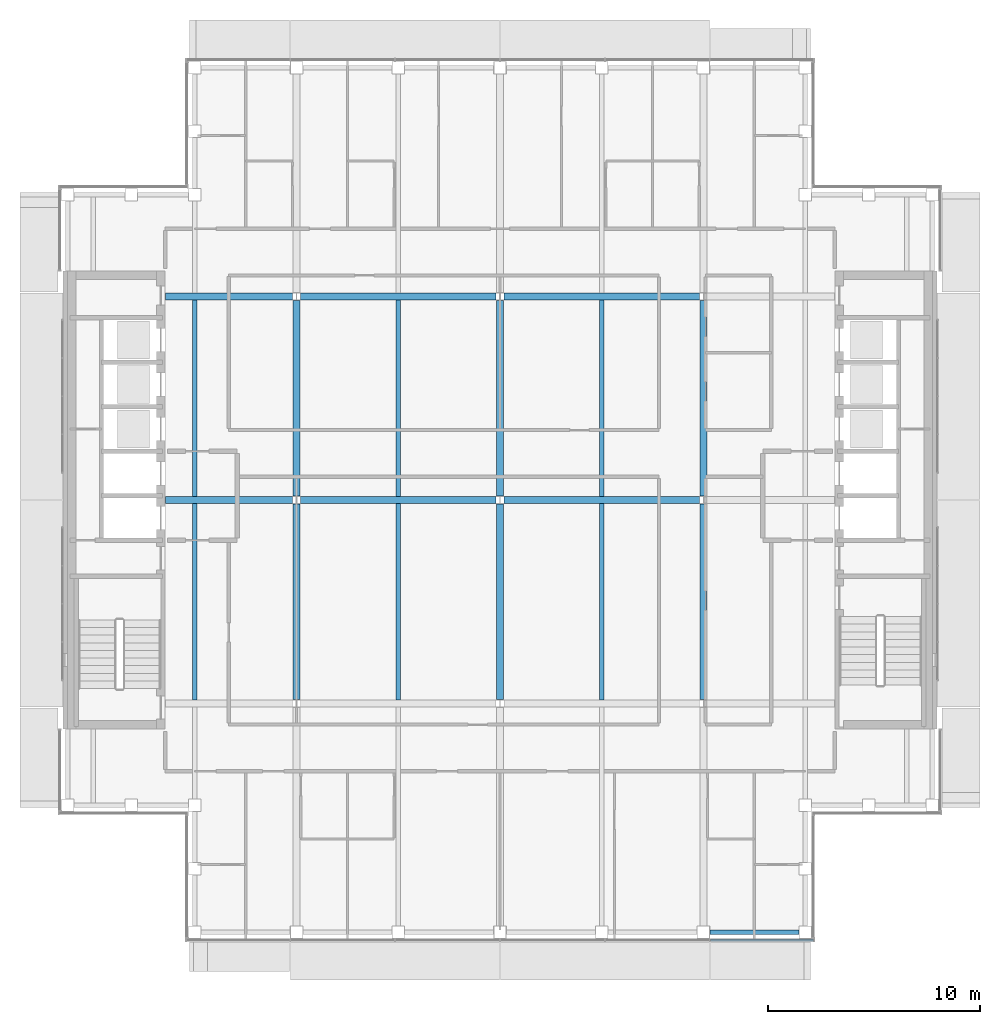
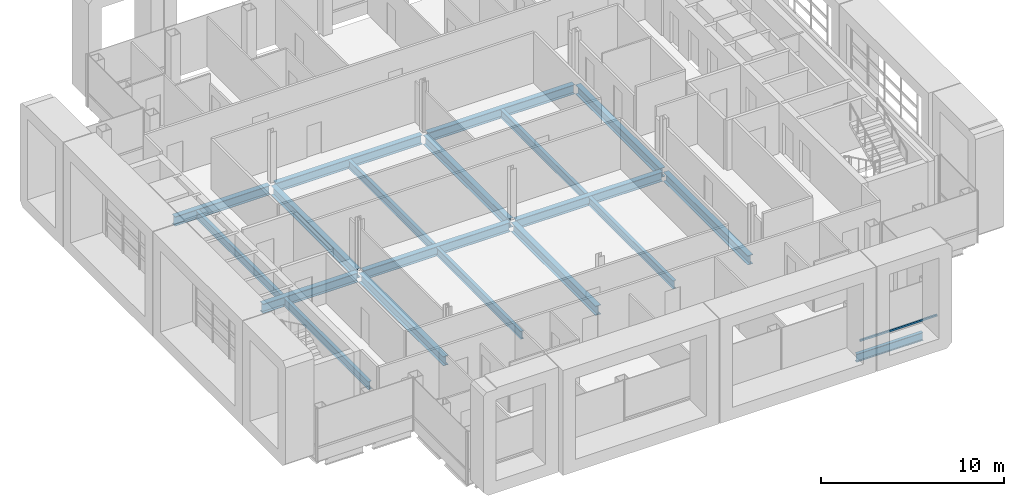
# One storey, part 4 of 21: 19 beams, 1 member, 1 element without a shape of its own.
"""IFC4 building model written with IfcOpenShell, lengths in metres."""

from ifc_helpers import new_model, si_unit, direction, frame, origin, origin_2d, place, context, subcontext, project, spatial, rectangle, i_section, extrude, material, material_profile, profile_set, type_object, element, aggregate, save


model = new_model("IFC4")

# Units and contexts
model_context = context("Model", 3, precision=1e-05, world=origin(), true_north=direction((0.0, 1.0)))
body_context = subcontext(model_context, "Body", "Model", "MODEL_VIEW")
ifc_project = project(units=[si_unit("LENGTHUNIT", "METRE"), si_unit("AREAUNIT", "SQUARE_METRE"), si_unit("VOLUMEUNIT", "CUBIC_METRE"), si_unit("PLANEANGLEUNIT", "RADIAN"), si_unit("MASSUNIT", "GRAM", prefix="KILO")], contexts=[model_context])

# Site, building, storey
site_placement = place(None, origin())
site = spatial("IfcSite", under=ifc_project, at=site_placement, CompositionType="ELEMENT")
building_placement = place(site_placement, origin())
building = spatial("IfcBuilding", under=site, at=building_placement, Name="Cobrizo Arcos Hotel Tower", CompositionType="ELEMENT")
storey_placement = place(building_placement, frame((0.0, 0.0, 248.0)))
storey = spatial("IfcBuildingStorey", under=building, at=storey_placement, Name="L65", CompositionType="ELEMENT", Elevation=248.0)

# Curtain wall, member
ifc_material_1 = material(Name="Aluminium 6063-T6 anodised bronze", Category="aluminium")
curtain_wall_type = type_object("IfcCurtainWallType", Name="CW-A guest facade", PredefinedType="NOTDEFINED", material=ifc_material_1)
curtain_wall_placement = place(storey_placement, origin())
curtain_wall = element("IfcCurtainWall", 1, at=curtain_wall_placement, inside=storey, type_object=curtain_wall_type, Name="CW-A L65 S face", PredefinedType="NOTDEFINED")
ifc_material_profile_1 = material_profile(ifc_material_1, rectangle(XDim=0.10009765625, YDim=0.1201171875, at=origin_2d()), Name="CW-A transom 120x100")
ifc_profile_set_1 = profile_set([ifc_material_profile_1], Name="Aluminium 6063-T6 anodised bronze")
member_type = type_object("IfcMemberType", Name="CW-A transom 120x100", PredefinedType="USERDEFINED", material=ifc_profile_set_1)
member_placement = place(storey_placement, frame((9.929931640625, -20.77490234375, 0.929931640625), z_axis=(1.0, 0.0, 0.0), x_axis=(0.0, 1.0, 0.0)))
member = element("IfcMember", 2, at=member_placement, type_object=member_type, Name="CW-A transom 2065", ObjectType="TRANSOM", PredefinedType="USERDEFINED", context=body_context, shape_type="SweptSolid", body=[
    extrude(rectangle(XDim=0.10009765625, YDim=0.1201171875, at=origin_2d()), origin(), (0.0, 0.0, 1.0), 4.860107421875),
])
aggregate(curtain_wall, [member])

# Beams
ifc_material_2 = material(Name="Steel ASTM A992 Grade 50", Category="steel")
ifc_material_profile_2 = material_profile(ifc_material_2, i_section(OverallWidth=0.209228515625, OverallDepth=0.533447265625, WebThickness=0.01025390625, FlangeThickness=0.015625, at=origin_2d()), Name="W21X62")
ifc_profile_set_2 = profile_set([ifc_material_profile_2], Name="Steel ASTM A992 Grade 50")
beam_type_1 = type_object("IfcBeamType", Name="W21X62 joist", PredefinedType="JOIST", material=ifc_profile_set_2)
for number, where, z_axis, x_axis, name in (
    (3, (-14.39990234375, -9.43603515625, -0.416748046875), (0.0, 1.0, 0.0), (-1.0, 0.0, 0.0), "Floor joist J1, L65, no. 004"),
    (4, (-14.39990234375, 0.163818359375, -0.416748046875), (0.0, 1.0, 0.0), (-1.0, 0.0, 0.0), "Floor joist J1, L65, no. 005"),
    (5, (-4.800048828125, -9.43603515625, -0.416748046875), (0.0, 1.0, 0.0), (-1.0, 0.0, 0.0), "Floor joist J1, L65, no. 008"),
    (6, (-4.800048828125, 0.163818359375, -0.416748046875), (0.0, 1.0, 0.0), (-1.0, 0.0, 0.0), "Floor joist J1, L65, no. 009"),
    (7, (4.800048828125, -9.43603515625, -0.416748046875), (0.0, 1.0, 0.0), (-1.0, 0.0, 0.0), "Floor joist J1, L65, no. 012"),
    (8, (4.800048828125, 0.163818359375, -0.416748046875), (0.0, 1.0, 0.0), (-1.0, 0.0, 0.0), "Floor joist J1, L65, no. 013"),
):
    element("IfcBeam", number, at=place(storey_placement, frame(where, z_axis=z_axis, x_axis=x_axis)), inside=storey, type_object=beam_type_1, Name=name, PredefinedType="JOIST", context=body_context, shape_type="SweptSolid", body=[
        extrude(i_section(OverallWidth=0.209228515625, OverallDepth=0.533447265625, WebThickness=0.01025390625, FlangeThickness=0.015625, at=origin_2d()), origin(), (0.0, 0.0, 1.0), 9.272216796875),
    ])
ifc_material_profile_3 = material_profile(ifc_material_2, i_section(OverallWidth=0.209228515625, OverallDepth=0.533447265625, WebThickness=0.01025390625, FlangeThickness=0.015625, at=origin_2d()), Name="W21X62")
ifc_profile_set_3 = profile_set([ifc_material_profile_3], Name="Steel ASTM A992 Grade 50")
beam_type_2 = type_object("IfcBeamType", Name="W21X62 spandrel", PredefinedType="SPANDREL", material=ifc_profile_set_3)
beam_1_placement = place(storey_placement, frame((9.89990234375, -20.39990234375, -0.416748046875), z_axis=(1.0, 0.0, 0.0), x_axis=(0.0, 1.0, 0.0)))
element("IfcBeam", 9, at=beam_1_placement, inside=storey, type_object=beam_type_2, Name="Spandrel beam W21X62, L65, no. 006", PredefinedType="SPANDREL", context=body_context, shape_type="SweptSolid", body=[
    extrude(i_section(OverallWidth=0.209228515625, OverallDepth=0.533447265625, WebThickness=0.01025390625, FlangeThickness=0.015625, at=origin_2d()), origin(), (0.0, 0.0, 1.0), 4.2001953125),
])
ifc_material_profile_4 = material_profile(ifc_material_2, i_section(OverallWidth=0.32763671875, OverallDepth=0.622314453125, WebThickness=0.015380859375, FlangeThickness=0.0244140625, at=origin_2d()), Name="W24X131")
ifc_profile_set_4 = profile_set([ifc_material_profile_4], Name="Steel ASTM A992 Grade 50")
beam_type_3 = type_object("IfcBeamType", Name="W24X131 girder", PredefinedType="BEAM", material=ifc_profile_set_4)
beam_2_placement = place(storey_placement, frame((-15.7900390625, 0.0, -0.461181640625), z_axis=(1.0, 0.0, 0.0), x_axis=(0.0, 1.0, 0.0)))
element("IfcBeam", 10, at=beam_2_placement, inside=storey, type_object=beam_type_3, Name="Floor girder G1, L65, no. 005", PredefinedType="BEAM", context=body_context, shape_type="SweptSolid", body=[
    extrude(i_section(OverallWidth=0.32763671875, OverallDepth=0.622314453125, WebThickness=0.015380859375, FlangeThickness=0.0244140625, at=origin_2d()), origin(), (0.0, 0.0, 1.0), 6.005859375),
])
for number, where, z_axis, x_axis, name in (
    (11, (-9.415771484375, 0.0, -0.461181640625), (1.0, 0.0, 0.0), (0.0, 1.0, 0.0), "Floor girder G1, L65, no. 006"),
    (12, (0.18408203125, 0.0, -0.461181640625), (1.0, 0.0, 0.0), (0.0, 1.0, 0.0), "Floor girder G1, L65, no. 007"),
):
    element("IfcBeam", number, at=place(storey_placement, frame(where, z_axis=z_axis, x_axis=x_axis)), inside=storey, type_object=beam_type_3, Name=name, PredefinedType="BEAM", context=body_context, shape_type="SweptSolid", body=[
        extrude(i_section(OverallWidth=0.32763671875, OverallDepth=0.622314453125, WebThickness=0.015380859375, FlangeThickness=0.0244140625, at=origin_2d()), origin(), (0.0, 0.0, 1.0), 9.231689453125),
    ])
beam_3_placement = place(storey_placement, frame((-15.7900390625, 9.60009765625, -0.461181640625), z_axis=(1.0, 0.0, 0.0), x_axis=(0.0, 1.0, 0.0)))
element("IfcBeam", 13, at=beam_3_placement, inside=storey, type_object=beam_type_3, Name="Floor girder G1, L65, no. 009", PredefinedType="BEAM", context=body_context, shape_type="SweptSolid", body=[
    extrude(i_section(OverallWidth=0.32763671875, OverallDepth=0.622314453125, WebThickness=0.015380859375, FlangeThickness=0.0244140625, at=origin_2d()), origin(), (0.0, 0.0, 1.0), 6.005859375),
])
for number, where, z_axis, x_axis, name in (
    (14, (-9.415771484375, 9.60009765625, -0.461181640625), (1.0, 0.0, 0.0), (0.0, 1.0, 0.0), "Floor girder G1, L65, no. 010"),
    (15, (0.18408203125, 9.60009765625, -0.461181640625), (1.0, 0.0, 0.0), (0.0, 1.0, 0.0), "Floor girder G1, L65, no. 011"),
    (16, (-9.60009765625, -9.415771484375, -0.461181640625), (0.0, 1.0, 0.0), (-1.0, 0.0, 0.0), "Floor girder G1, L65, no. 014"),
    (17, (-9.60009765625, 0.18408203125, -0.461181640625), (0.0, 1.0, 0.0), (-1.0, 0.0, 0.0), "Floor girder G1, L65, no. 015"),
    (18, (0.0, -9.415771484375, -0.461181640625), (0.0, 1.0, 0.0), (-1.0, 0.0, 0.0), "Floor girder G1, L65, no. 018"),
    (19, (0.0, 0.18408203125, -0.461181640625), (0.0, 1.0, 0.0), (-1.0, 0.0, 0.0), "Floor girder G1, L65, no. 019"),
    (20, (9.60009765625, -9.415771484375, -0.461181640625), (0.0, 1.0, 0.0), (-1.0, 0.0, 0.0), "Floor girder G1, L65, no. 022"),
    (21, (9.60009765625, 0.18408203125, -0.461181640625), (0.0, 1.0, 0.0), (-1.0, 0.0, 0.0), "Floor girder G1, L65, no. 023"),
):
    element("IfcBeam", number, at=place(storey_placement, frame(where, z_axis=z_axis, x_axis=x_axis)), inside=storey, type_object=beam_type_3, Name=name, PredefinedType="BEAM", context=body_context, shape_type="SweptSolid", body=[
        extrude(i_section(OverallWidth=0.32763671875, OverallDepth=0.622314453125, WebThickness=0.015380859375, FlangeThickness=0.0244140625, at=origin_2d()), origin(), (0.0, 0.0, 1.0), 9.231689453125),
    ])

save(model, "model.ifc")
